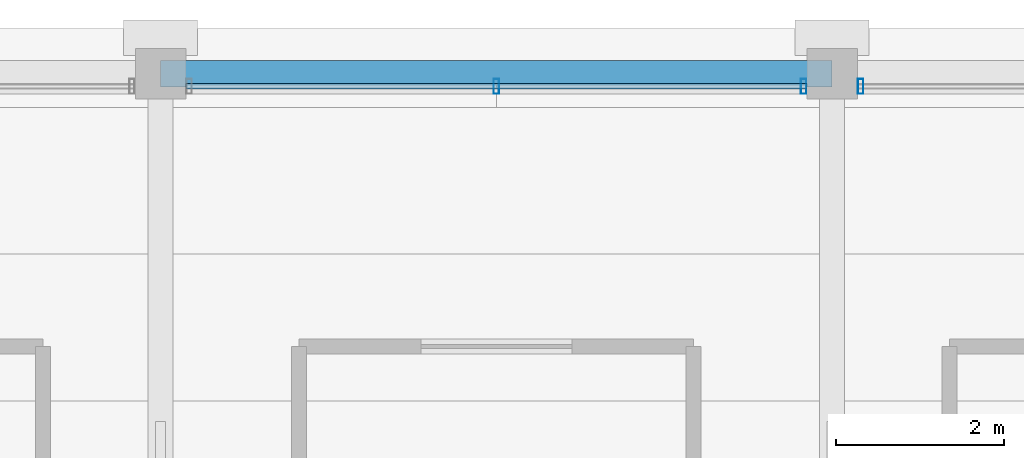
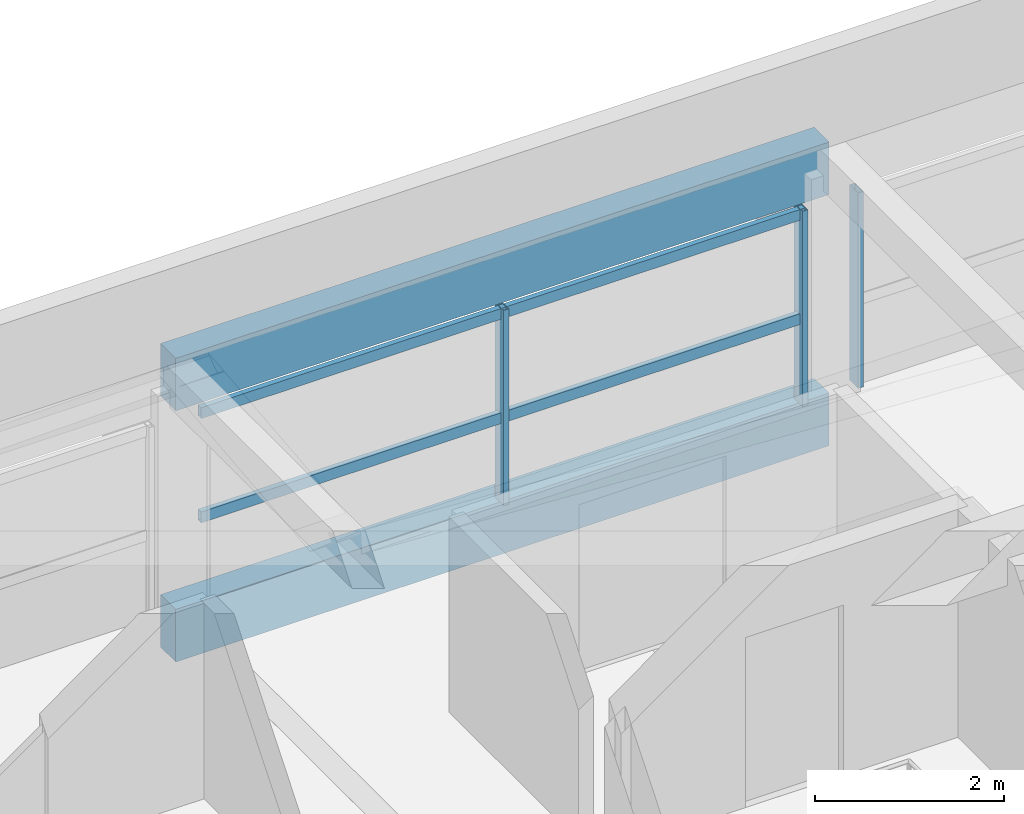
# One storey, part 22 of 39: 5 members, 2 beams, 2 elements without a shape of their own.
"""IFC4 building model written with IfcOpenShell, lengths in metres."""

from ifc_helpers import new_model, si_unit, direction, frame, origin, origin_2d, place, context, subcontext, project, spatial, rectangle, hollow_rectangle, extrude, material, material_profile, profile_set, type_object, element, aggregate, save


model = new_model("IFC4")

# Units and contexts
model_context = context("Model", 3, precision=1e-05, world=origin(), true_north=direction((0.0, 1.0)))
body_context = subcontext(model_context, "Body", "Model", "MODEL_VIEW")
ifc_project = project(units=[si_unit("LENGTHUNIT", "METRE"), si_unit("AREAUNIT", "SQUARE_METRE"), si_unit("VOLUMEUNIT", "CUBIC_METRE"), si_unit("PLANEANGLEUNIT", "RADIAN"), si_unit("MASSUNIT", "GRAM", prefix="KILO")], contexts=[model_context])

# Site, building, storey
site_placement = place(None, origin())
site = spatial("IfcSite", under=ifc_project, at=site_placement, CompositionType="ELEMENT")
building_placement = place(site_placement, origin())
building = spatial("IfcBuilding", under=site, at=building_placement, Name="Akrevak Sports Hall", CompositionType="ELEMENT")
storey_placement = place(building_placement, frame((0.0, 0.0, 66.550048828125)))
storey = spatial("IfcBuildingStorey", under=building, at=storey_placement, Name="L17", CompositionType="ELEMENT", Elevation=66.550048828125)

# Curtain wall, member
ifc_material_1 = material(Name="Anodized Bronze Aluminium & Low-E Glass", Category="aluminium")
curtain_wall_type = type_object("IfcCurtainWallType", Name="ARC-CW-TWR-68x30", PredefinedType="NOTDEFINED", material=ifc_material_1)
curtain_wall_1_placement = place(storey_placement, origin())
curtain_wall_1 = element("IfcCurtainWall", 1, at=curtain_wall_1_placement, inside=storey, type_object=curtain_wall_type, Name="Curtain Wall CW-L17-N19", PredefinedType="NOTDEFINED")
ifc_material_2 = material(Name="Anodized Bronze Aluminium", Category="aluminium")
ifc_material_profile_1 = material_profile(ifc_material_2, hollow_rectangle(XDim=0.06494140625, YDim=0.179931640625, WallThickness=0.00390625, at=origin_2d()), Name="CWM 65x180", Category="aluminium")
ifc_profile_set_1 = profile_set([ifc_material_profile_1], Name="Anodized Bronze Aluminium")
member_type_1 = type_object("IfcMemberType", Name="ARC-CWM-65x140", PredefinedType="MULLION", material=ifc_profile_set_1)
member_1_placement = place(storey_placement, frame((84.340087890625, 69.449951171875, 0.0), z_axis=(0.0, 0.0, 1.0), x_axis=(-1.0, 0.0, 0.0)))
member_1 = element("IfcMember", 2, at=member_1_placement, type_object=member_type_1, Name="Curtain Wall Mullion CW-L17-N19-M3", PredefinedType="MULLION", context=body_context, shape_type="SweptSolid", body=[
    extrude(hollow_rectangle(XDim=0.06494140625, YDim=0.179931640625, WallThickness=0.00390625, at=origin_2d()), origin(), (0.0, 0.0, 1.0), 2.530029296875),
])
aggregate(curtain_wall_1, [member_1])

# Curtain wall, members
curtain_wall_2_placement = place(storey_placement, origin())
curtain_wall_2 = element("IfcCurtainWall", 3, at=curtain_wall_2_placement, inside=storey, type_object=curtain_wall_type, Name="Curtain Wall CW-L17-N20", PredefinedType="NOTDEFINED")
member_2_placement = place(storey_placement, frame((83.659912109375, 69.449951171875, 0.0), z_axis=(0.0, 0.0, 1.0), x_axis=(-1.0, 0.0, 0.0)))
member_2 = element("IfcMember", 4, at=member_2_placement, type_object=member_type_1, Name="Curtain Wall Mullion CW-L17-N20-M1", PredefinedType="MULLION", context=body_context, shape_type="SweptSolid", body=[
    extrude(hollow_rectangle(XDim=0.06494140625, YDim=0.179931640625, WallThickness=0.00390625, at=origin_2d()), origin(), (0.0, 0.0, 1.0), 2.530029296875),
])
member_3_placement = place(storey_placement, frame((80.0, 69.449951171875, 0.0), z_axis=(0.0, 0.0, 1.0), x_axis=(-1.0, 0.0, 0.0)))
member_3 = element("IfcMember", 5, at=member_3_placement, type_object=member_type_1, Name="Curtain Wall Mullion CW-L17-N20-M2", PredefinedType="MULLION", context=body_context, shape_type="SweptSolid", body=[
    extrude(hollow_rectangle(XDim=0.06494140625, YDim=0.179931640625, WallThickness=0.00390625, at=origin_2d()), origin(), (0.0, 0.0, 1.0), 2.530029296875),
])
ifc_material_profile_2 = material_profile(ifc_material_2, hollow_rectangle(XDim=0.06494140625, YDim=0.139892578125, WallThickness=0.00390625, at=origin_2d()), Name="CWT 65x140", Category="aluminium")
ifc_profile_set_2 = profile_set([ifc_material_profile_2], Name="Anodized Bronze Aluminium")
member_type_2 = type_object("IfcMemberType", Name="ARC-CWT-65x110", PredefinedType="USERDEFINED", material=ifc_profile_set_2)
member_4_placement = place(storey_placement, frame((83.699951171875, 69.449951171875, 1.099853515625), z_axis=(-1.0, 0.0, 0.0), x_axis=(0.0, -1.0, 0.0)))
member_4 = element("IfcMember", 6, at=member_4_placement, type_object=member_type_2, Name="Curtain Wall Transom CW-L17-N20-T1", ObjectType="TRANSOM", PredefinedType="USERDEFINED", context=body_context, shape_type="SweptSolid", body=[
    extrude(hollow_rectangle(XDim=0.06494140625, YDim=0.139892578125, WallThickness=0.00390625, at=origin_2d()), origin(), (0.0, 0.0, 1.0), 7.39990234375),
])
member_5_placement = place(storey_placement, frame((83.699951171875, 69.449951171875, 2.449951171875), z_axis=(-1.0, 0.0, 0.0), x_axis=(0.0, -1.0, 0.0)))
member_5 = element("IfcMember", 7, at=member_5_placement, type_object=member_type_2, Name="Curtain Wall Transom CW-L17-N20-T2", ObjectType="TRANSOM", PredefinedType="USERDEFINED", context=body_context, shape_type="SweptSolid", body=[
    extrude(hollow_rectangle(XDim=0.06494140625, YDim=0.139892578125, WallThickness=0.00390625, at=origin_2d()), origin(), (0.0, 0.0, 1.0), 7.39990234375),
])
aggregate(curtain_wall_2, [member_2, member_3, member_4, member_5])

# Beams
ifc_material_3 = material(Name="Concrete C40/50", Category="concrete")
ifc_material_profile_3 = material_profile(ifc_material_3, rectangle(XDim=0.320068359375, YDim=0.679931640625, at=origin_2d()), Name="SPD 320x680", Category="concrete")
ifc_profile_set_3 = profile_set([ifc_material_profile_3], Name="Concrete C40/50")
beam_type = type_object("IfcBeamType", Name="STR-SPD-RC320x680", PredefinedType="SPANDREL", material=ifc_profile_set_3)
for number, where, z_axis, x_axis, name in (
    (8, (76.0, 69.60009765625, -0.340087890625), (1.0, 0.0, 0.0), (0.0, 1.0, 0.0), "Girder K/11-12 (L17)"),
    (9, (76.0, 69.60009765625, 2.909912109375), (1.0, 0.0, 0.0), (0.0, 1.0, 0.0), "Girder K/11-12 (ROOF)"),
):
    element("IfcBeam", number, at=place(storey_placement, frame(where, z_axis=z_axis, x_axis=x_axis)), inside=storey, type_object=beam_type, Name=name, PredefinedType="SPANDREL", context=body_context, shape_type="SweptSolid", body=[
        extrude(rectangle(XDim=0.320068359375, YDim=0.679931640625, at=origin_2d()), origin(), (0.0, 0.0, 1.0), 8.0),
    ])

save(model, "model.ifc")
